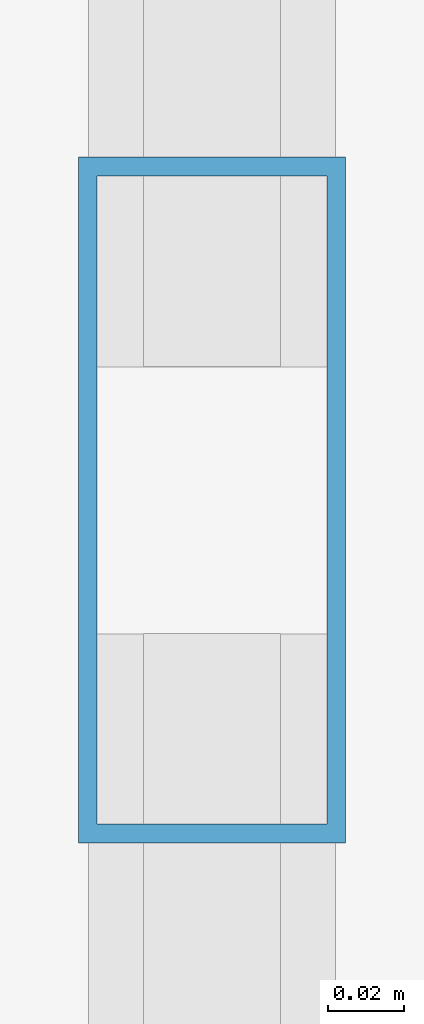
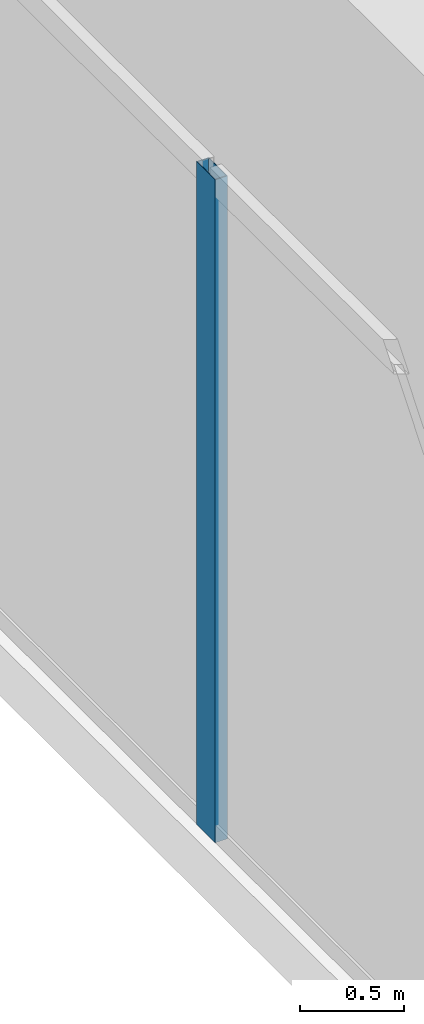
# One storey, part 9 of 32: 1 member, 1 element without a shape of its own.
"""IFC4 building model written with IfcOpenShell, lengths in metres."""

from ifc_helpers import new_model, si_unit, direction, frame, origin, origin_2d, place, context, subcontext, project, spatial, hollow_rectangle, extrude, source, transform, mapped, material, layer, layer_set, material_profile, profile_set, type_object, type_shapes, element, aggregate, save


model = new_model("IFC4")

# Units and contexts
model_context = context("Model", 3, precision=1e-05, world=origin(), true_north=direction((0.0, 1.0)))
body_context = subcontext(model_context, "Body", "Model", "MODEL_VIEW")
ifc_project = project(units=[si_unit("LENGTHUNIT", "METRE"), si_unit("AREAUNIT", "SQUARE_METRE"), si_unit("VOLUMEUNIT", "CUBIC_METRE"), si_unit("PLANEANGLEUNIT", "RADIAN"), si_unit("MASSUNIT", "GRAM", prefix="KILO")], contexts=[model_context])

# Site, building, storey
site_placement = place(None, origin())
site = spatial("IfcSite", under=ifc_project, at=site_placement, CompositionType="ELEMENT")
building_placement = place(site_placement, origin())
building = spatial("IfcBuilding", under=site, at=building_placement, Name="Haelvirn Gate Laboratories", CompositionType="ELEMENT")
storey_placement = place(building_placement, frame((0.0, 0.0, 306.0)))
storey = spatial("IfcBuildingStorey", under=building, at=storey_placement, Name="L73", CompositionType="ELEMENT", Elevation=306.0)

# Curtain wall, member
ifc_material_1 = material(Name="Anodised bronze unitised aluminium & triple low-E glass", Category="aluminium")
ifc_layer = layer(ifc_material_1, 0.176025390625, Name="CW-SYS-4")
ifc_layer_set = layer_set([ifc_layer], Name="Anodised bronze unitised aluminium & triple low-E glass")
curtain_wall_type = type_object("IfcCurtainWallType", Name="CW-SYS-4", PredefinedType="NOTDEFINED", material=ifc_layer_set)
curtain_wall_placement = place(storey_placement, origin())
curtain_wall = element("IfcCurtainWall", 1, at=curtain_wall_placement, inside=storey, type_object=curtain_wall_type, Name="L73 Unitised Curtain Wall CW-L73-P0-E17", PredefinedType="NOTDEFINED")
ifc_material_2 = material(Name="Extruded aluminium 6063-T6 (anodised bronze)", Category="aluminium")
ifc_material_profile = material_profile(ifc_material_2, hollow_rectangle(XDim=0.070068359375, YDim=0.179931640625, WallThickness=0.0048828125, at=origin_2d()), Name="CWM-180x70x5")
ifc_profile_set = profile_set([ifc_material_profile], Name="Extruded aluminium 6063-T6 (anodised bronze)")
member_type = type_object("IfcMemberType", Name="CWM-T180", PredefinedType="MULLION", material=ifc_profile_set)
shared_shape = source(origin(), body_context, "Body", "SweptSolid", [
    extrude(hollow_rectangle(XDim=0.070068359375, YDim=0.179931640625, WallThickness=0.0048828125, at=origin_2d()), origin(), (0.0, 0.0, 1.0), 3.89990234375),
])
type_shapes(member_type, [shared_shape])
member_placement = place(storey_placement, frame((5.89990234375, 24.300048828125, 0.0), z_axis=(0.0, 0.0, 1.0), x_axis=(1.0, 0.0, 0.0)))
member = element("IfcMember", 2, at=member_placement, type_object=member_type, Name="CW4 mullion 2", PredefinedType="MULLION", context=body_context, shape_type="MappedRepresentation", body=[
    mapped(shared_shape, transform((0.0, 0.0, 0.0), scale=1.0)),
])
aggregate(curtain_wall, [member])

save(model, "model.ifc")
